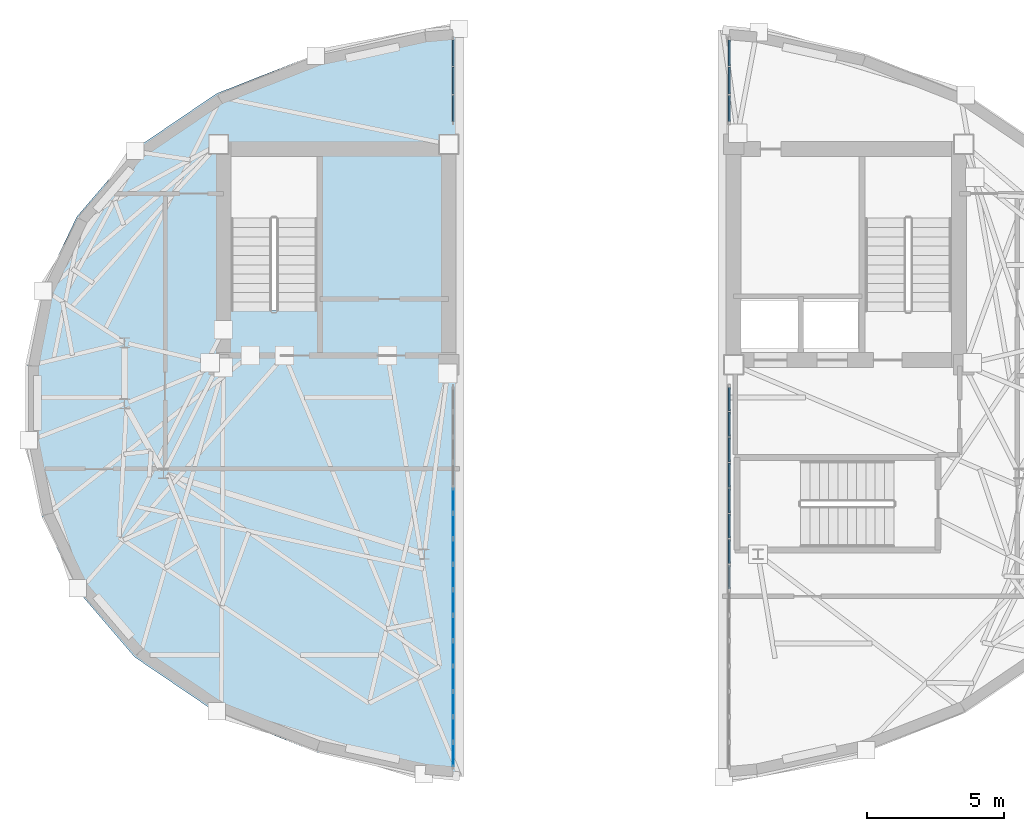
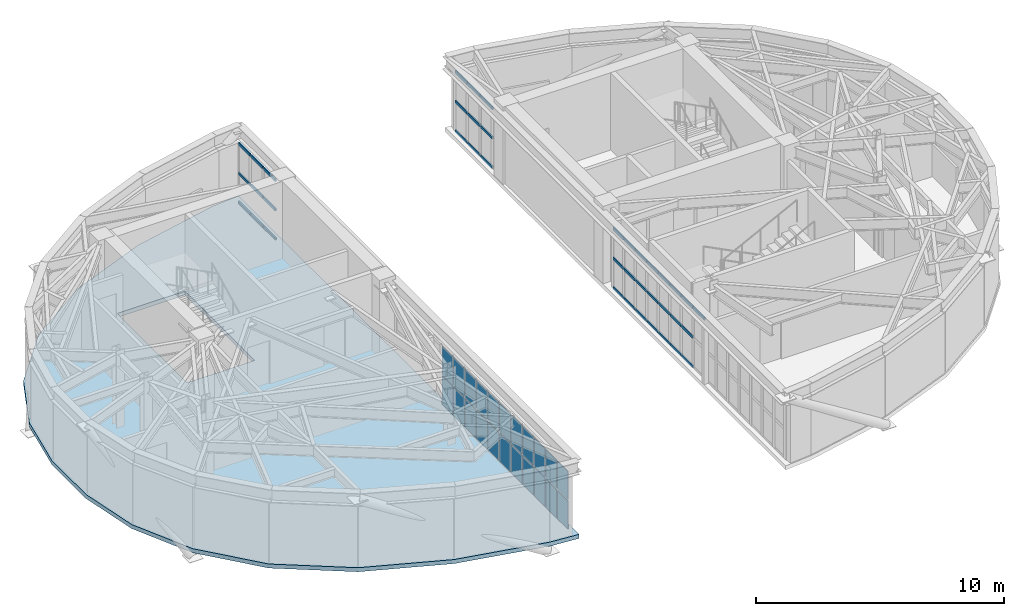
# One storey, part 7 of 13: 40 members, 22 plates, 1 slab, 4 elements without a shape of their own.
"""IFC4 building model written with IfcOpenShell, lengths in metres."""

from ifc_helpers import new_model, si_unit, direction, frame, origin, origin_2d, place, context, subcontext, project, spatial, polyline, rectangle, outline, extrude, material, layer, layer_set, material_profile, profile_set, type_object, element, aggregate, save


model = new_model("IFC4")

# Units and contexts
model_context = context("Model", 3, precision=1e-05, world=origin(), true_north=direction((0.0, 1.0)))
body_context = subcontext(model_context, "Body", "Model", "MODEL_VIEW")
ifc_project = project(units=[si_unit("LENGTHUNIT", "METRE"), si_unit("AREAUNIT", "SQUARE_METRE"), si_unit("VOLUMEUNIT", "CUBIC_METRE"), si_unit("PLANEANGLEUNIT", "RADIAN"), si_unit("MASSUNIT", "GRAM", prefix="KILO")], contexts=[model_context])

# Site, building, storey
site_placement = place(None, origin())
site = spatial("IfcSite", under=ifc_project, at=site_placement, CompositionType="ELEMENT")
building_placement = place(site_placement, origin())
building = spatial("IfcBuilding", under=site, at=building_placement, Name="Keldmark Tower", CompositionType="ELEMENT")
storey_placement = place(building_placement, frame((0.0, 0.0, 273.0)))
storey = spatial("IfcBuildingStorey", under=building, at=storey_placement, Name="L77", CompositionType="ELEMENT", Elevation=273.0)

# Curtain wall, members
ifc_material_1 = material(Name="Unitized Thermally Broken Aluminum and Triple Low-E Glazing", Category="aluminium")
ifc_layer_1 = layer(ifc_material_1, 0.219970703125)
ifc_layer_set_1 = layer_set([ifc_layer_1], Name="Unitized Thermally Broken Aluminum and Triple Low-E Glazing")
curtain_wall_type = type_object("IfcCurtainWallType", Name="Split-Top Crown Lantern Curtain Wall System", PredefinedType="NOTDEFINED", material=ifc_layer_set_1)
curtain_wall_1_placement = place(storey_placement, origin())
curtain_wall_1 = element("IfcCurtainWall", 1, at=curtain_wall_1_placement, inside=storey, type_object=curtain_wall_type, Name="L77 Split-Top Crown Lantern Curtain Wall System CW-L77-ES14-0", PredefinedType="NOTDEFINED")
ifc_material_2 = material(Name="Extruded Aluminum Alloy 6063-T6", Category="aluminium")
ifc_material_profile = material_profile(ifc_material_2, rectangle(XDim=0.06005859375, YDim=0.139892578125, at=origin_2d()), Name="CWT60X140")
ifc_profile_set = profile_set([ifc_material_profile], Name="Extruded Aluminum Alloy 6063-T6")
member_type = type_object("IfcMemberType", Name="Curtain Wall Horizontal Transom 60x140", PredefinedType="USERDEFINED", material=ifc_profile_set)
member_1_placement = place(storey_placement, frame((5.0400390625, 13.251953125, 0.030029296875), z_axis=(0.0, -1.0, 0.0), x_axis=(1.0, 0.0, 0.0)))
member_1 = element("IfcMember", 2, at=member_1_placement, type_object=member_type, Name="CW transom 1.1", ObjectType="TRANSOM", PredefinedType="USERDEFINED", context=body_context, shape_type="SweptSolid", body=[
    extrude(rectangle(XDim=0.06005859375, YDim=0.139892578125, at=origin_2d()), origin(), (0.0, 0.0, 1.0), 0.937744140625),
])
member_2_placement = place(storey_placement, frame((5.0400390625, 13.251953125, 1.48291015625), z_axis=(0.0, -1.0, 0.0), x_axis=(1.0, 0.0, 0.0)))
member_2 = element("IfcMember", 3, at=member_2_placement, type_object=member_type, Name="CW transom 1.2", ObjectType="TRANSOM", PredefinedType="USERDEFINED", context=body_context, shape_type="SweptSolid", body=[
    extrude(rectangle(XDim=0.06005859375, YDim=0.139892578125, at=origin_2d()), origin(), (0.0, 0.0, 1.0), 0.937744140625),
])
member_3_placement = place(storey_placement, frame((5.0400390625, 13.251953125, 2.93603515625), z_axis=(0.0, -1.0, 0.0), x_axis=(1.0, 0.0, 0.0)))
member_3 = element("IfcMember", 4, at=member_3_placement, type_object=member_type, Name="CW transom 1.3", ObjectType="TRANSOM", PredefinedType="USERDEFINED", context=body_context, shape_type="SweptSolid", body=[
    extrude(rectangle(XDim=0.06005859375, YDim=0.139892578125, at=origin_2d()), origin(), (0.0, 0.0, 1.0), 0.937744140625),
])
member_4_placement = place(storey_placement, frame((5.0400390625, 12.254150390625, 0.030029296875), z_axis=(0.0, -1.0, 0.0), x_axis=(1.0, 0.0, 0.0)))
member_4 = element("IfcMember", 5, at=member_4_placement, type_object=member_type, Name="CW transom 2.1", ObjectType="TRANSOM", PredefinedType="USERDEFINED", context=body_context, shape_type="SweptSolid", body=[
    extrude(rectangle(XDim=0.06005859375, YDim=0.139892578125, at=origin_2d()), origin(), (0.0, 0.0, 1.0), 0.9677734375),
])
member_5_placement = place(storey_placement, frame((5.0400390625, 12.254150390625, 1.48291015625), z_axis=(0.0, -1.0, 0.0), x_axis=(1.0, 0.0, 0.0)))
member_5 = element("IfcMember", 6, at=member_5_placement, type_object=member_type, Name="CW transom 2.2", ObjectType="TRANSOM", PredefinedType="USERDEFINED", context=body_context, shape_type="SweptSolid", body=[
    extrude(rectangle(XDim=0.06005859375, YDim=0.139892578125, at=origin_2d()), origin(), (0.0, 0.0, 1.0), 0.9677734375),
])
member_6_placement = place(storey_placement, frame((5.0400390625, 12.254150390625, 2.93603515625), z_axis=(0.0, -1.0, 0.0), x_axis=(1.0, 0.0, 0.0)))
member_6 = element("IfcMember", 7, at=member_6_placement, type_object=member_type, Name="CW transom 2.3", ObjectType="TRANSOM", PredefinedType="USERDEFINED", context=body_context, shape_type="SweptSolid", body=[
    extrude(rectangle(XDim=0.06005859375, YDim=0.139892578125, at=origin_2d()), origin(), (0.0, 0.0, 1.0), 0.9677734375),
])
member_7_placement = place(storey_placement, frame((5.0400390625, 11.226318359375, 0.030029296875), z_axis=(0.0, -1.0, 0.0), x_axis=(1.0, 0.0, 0.0)))
member_7 = element("IfcMember", 8, at=member_7_placement, type_object=member_type, Name="CW transom 3.1", ObjectType="TRANSOM", PredefinedType="USERDEFINED", context=body_context, shape_type="SweptSolid", body=[
    extrude(rectangle(XDim=0.06005859375, YDim=0.139892578125, at=origin_2d()), origin(), (0.0, 0.0, 1.0), 0.937744140625),
])
member_8_placement = place(storey_placement, frame((5.0400390625, 11.226318359375, 1.48291015625), z_axis=(0.0, -1.0, 0.0), x_axis=(1.0, 0.0, 0.0)))
member_8 = element("IfcMember", 9, at=member_8_placement, type_object=member_type, Name="CW transom 3.2", ObjectType="TRANSOM", PredefinedType="USERDEFINED", context=body_context, shape_type="SweptSolid", body=[
    extrude(rectangle(XDim=0.06005859375, YDim=0.139892578125, at=origin_2d()), origin(), (0.0, 0.0, 1.0), 0.937744140625),
])
member_9_placement = place(storey_placement, frame((5.0400390625, 11.226318359375, 2.93603515625), z_axis=(0.0, -1.0, 0.0), x_axis=(1.0, 0.0, 0.0)))
member_9 = element("IfcMember", 10, at=member_9_placement, type_object=member_type, Name="CW transom 3.3", ObjectType="TRANSOM", PredefinedType="USERDEFINED", context=body_context, shape_type="SweptSolid", body=[
    extrude(rectangle(XDim=0.06005859375, YDim=0.139892578125, at=origin_2d()), origin(), (0.0, 0.0, 1.0), 0.937744140625),
])
aggregate(curtain_wall_1, [member_1, member_2, member_3, member_4, member_5, member_6, member_7, member_8, member_9])

curtain_wall_2_placement = place(storey_placement, origin())
curtain_wall_2 = element("IfcCurtainWall", 11, at=curtain_wall_2_placement, inside=storey, type_object=curtain_wall_type, Name="L77 Split-Top Crown Lantern Curtain Wall System CW-L77-ES14-1", PredefinedType="NOTDEFINED")
member_10_placement = place(storey_placement, frame((5.0400390625, 0.5615234375, 0.030029296875), z_axis=(0.0, -1.0, 0.0), x_axis=(1.0, 0.0, 0.0)))
member_10 = element("IfcMember", 12, at=member_10_placement, type_object=member_type, Name="CW transom 1.1", ObjectType="TRANSOM", PredefinedType="USERDEFINED", context=body_context, shape_type="SweptSolid", body=[
    extrude(rectangle(XDim=0.06005859375, YDim=0.139892578125, at=origin_2d()), origin(), (0.0, 0.0, 1.0), 0.8388671875),
])
member_11_placement = place(storey_placement, frame((5.0400390625, 0.5615234375, 1.48291015625), z_axis=(0.0, -1.0, 0.0), x_axis=(1.0, 0.0, 0.0)))
member_11 = element("IfcMember", 13, at=member_11_placement, type_object=member_type, Name="CW transom 1.2", ObjectType="TRANSOM", PredefinedType="USERDEFINED", context=body_context, shape_type="SweptSolid", body=[
    extrude(rectangle(XDim=0.06005859375, YDim=0.139892578125, at=origin_2d()), origin(), (0.0, 0.0, 1.0), 0.8388671875),
])
member_12_placement = place(storey_placement, frame((5.0400390625, 0.5615234375, 2.93603515625), z_axis=(0.0, -1.0, 0.0), x_axis=(1.0, 0.0, 0.0)))
member_12 = element("IfcMember", 14, at=member_12_placement, type_object=member_type, Name="CW transom 1.3", ObjectType="TRANSOM", PredefinedType="USERDEFINED", context=body_context, shape_type="SweptSolid", body=[
    extrude(rectangle(XDim=0.06005859375, YDim=0.139892578125, at=origin_2d()), origin(), (0.0, 0.0, 1.0), 0.8388671875),
])
member_13_placement = place(storey_placement, frame((5.0400390625, -0.33740234375, 0.030029296875), z_axis=(0.0, -1.0, 0.0), x_axis=(1.0, 0.0, 0.0)))
member_13 = element("IfcMember", 15, at=member_13_placement, type_object=member_type, Name="CW transom 2.1", ObjectType="TRANSOM", PredefinedType="USERDEFINED", context=body_context, shape_type="SweptSolid", body=[
    extrude(rectangle(XDim=0.06005859375, YDim=0.139892578125, at=origin_2d()), origin(), (0.0, 0.0, 1.0), 0.868896484375),
])
member_14_placement = place(storey_placement, frame((5.0400390625, -0.33740234375, 1.48291015625), z_axis=(0.0, -1.0, 0.0), x_axis=(1.0, 0.0, 0.0)))
member_14 = element("IfcMember", 16, at=member_14_placement, type_object=member_type, Name="CW transom 2.2", ObjectType="TRANSOM", PredefinedType="USERDEFINED", context=body_context, shape_type="SweptSolid", body=[
    extrude(rectangle(XDim=0.06005859375, YDim=0.139892578125, at=origin_2d()), origin(), (0.0, 0.0, 1.0), 0.868896484375),
])
member_15_placement = place(storey_placement, frame((5.0400390625, -0.33740234375, 2.93603515625), z_axis=(0.0, -1.0, 0.0), x_axis=(1.0, 0.0, 0.0)))
member_15 = element("IfcMember", 17, at=member_15_placement, type_object=member_type, Name="CW transom 2.3", ObjectType="TRANSOM", PredefinedType="USERDEFINED", context=body_context, shape_type="SweptSolid", body=[
    extrude(rectangle(XDim=0.06005859375, YDim=0.139892578125, at=origin_2d()), origin(), (0.0, 0.0, 1.0), 0.868896484375),
])
member_16_placement = place(storey_placement, frame((5.0400390625, -1.266357421875, 0.030029296875), z_axis=(0.0, -1.0, 0.0), x_axis=(1.0, 0.0, 0.0)))
member_16 = element("IfcMember", 18, at=member_16_placement, type_object=member_type, Name="CW transom 3.1", ObjectType="TRANSOM", PredefinedType="USERDEFINED", context=body_context, shape_type="SweptSolid", body=[
    extrude(rectangle(XDim=0.06005859375, YDim=0.139892578125, at=origin_2d()), origin(), (0.0, 0.0, 1.0), 0.868896484375),
])
member_17_placement = place(storey_placement, frame((5.0400390625, -1.266357421875, 1.48291015625), z_axis=(0.0, -1.0, 0.0), x_axis=(1.0, 0.0, 0.0)))
member_17 = element("IfcMember", 19, at=member_17_placement, type_object=member_type, Name="CW transom 3.2", ObjectType="TRANSOM", PredefinedType="USERDEFINED", context=body_context, shape_type="SweptSolid", body=[
    extrude(rectangle(XDim=0.06005859375, YDim=0.139892578125, at=origin_2d()), origin(), (0.0, 0.0, 1.0), 0.868896484375),
])
member_18_placement = place(storey_placement, frame((5.0400390625, -1.266357421875, 2.93603515625), z_axis=(0.0, -1.0, 0.0), x_axis=(1.0, 0.0, 0.0)))
member_18 = element("IfcMember", 20, at=member_18_placement, type_object=member_type, Name="CW transom 3.3", ObjectType="TRANSOM", PredefinedType="USERDEFINED", context=body_context, shape_type="SweptSolid", body=[
    extrude(rectangle(XDim=0.06005859375, YDim=0.139892578125, at=origin_2d()), origin(), (0.0, 0.0, 1.0), 0.868896484375),
])
member_19_placement = place(storey_placement, frame((5.0400390625, -2.1953125, 0.030029296875), z_axis=(0.0, -1.0, 0.0), x_axis=(1.0, 0.0, 0.0)))
member_19 = element("IfcMember", 21, at=member_19_placement, type_object=member_type, Name="CW transom 4.1", ObjectType="TRANSOM", PredefinedType="USERDEFINED", context=body_context, shape_type="SweptSolid", body=[
    extrude(rectangle(XDim=0.06005859375, YDim=0.139892578125, at=origin_2d()), origin(), (0.0, 0.0, 1.0), 0.868896484375),
])
member_20_placement = place(storey_placement, frame((5.0400390625, -2.1953125, 1.48291015625), z_axis=(0.0, -1.0, 0.0), x_axis=(1.0, 0.0, 0.0)))
member_20 = element("IfcMember", 22, at=member_20_placement, type_object=member_type, Name="CW transom 4.2", ObjectType="TRANSOM", PredefinedType="USERDEFINED", context=body_context, shape_type="SweptSolid", body=[
    extrude(rectangle(XDim=0.06005859375, YDim=0.139892578125, at=origin_2d()), origin(), (0.0, 0.0, 1.0), 0.868896484375),
])
member_21_placement = place(storey_placement, frame((5.0400390625, -2.1953125, 2.93603515625), z_axis=(0.0, -1.0, 0.0), x_axis=(1.0, 0.0, 0.0)))
member_21 = element("IfcMember", 23, at=member_21_placement, type_object=member_type, Name="CW transom 4.3", ObjectType="TRANSOM", PredefinedType="USERDEFINED", context=body_context, shape_type="SweptSolid", body=[
    extrude(rectangle(XDim=0.06005859375, YDim=0.139892578125, at=origin_2d()), origin(), (0.0, 0.0, 1.0), 0.868896484375),
])
member_22_placement = place(storey_placement, frame((5.0400390625, -3.1240234375, 0.030029296875), z_axis=(0.0, -1.0, 0.0), x_axis=(1.0, 0.0, 0.0)))
member_22 = element("IfcMember", 24, at=member_22_placement, type_object=member_type, Name="CW transom 5.1", ObjectType="TRANSOM", PredefinedType="USERDEFINED", context=body_context, shape_type="SweptSolid", body=[
    extrude(rectangle(XDim=0.06005859375, YDim=0.139892578125, at=origin_2d()), origin(), (0.0, 0.0, 1.0), 0.868896484375),
])
member_23_placement = place(storey_placement, frame((5.0400390625, -3.1240234375, 1.48291015625), z_axis=(0.0, -1.0, 0.0), x_axis=(1.0, 0.0, 0.0)))
member_23 = element("IfcMember", 25, at=member_23_placement, type_object=member_type, Name="CW transom 5.2", ObjectType="TRANSOM", PredefinedType="USERDEFINED", context=body_context, shape_type="SweptSolid", body=[
    extrude(rectangle(XDim=0.06005859375, YDim=0.139892578125, at=origin_2d()), origin(), (0.0, 0.0, 1.0), 0.868896484375),
])
member_24_placement = place(storey_placement, frame((5.0400390625, -3.1240234375, 2.93603515625), z_axis=(0.0, -1.0, 0.0), x_axis=(1.0, 0.0, 0.0)))
member_24 = element("IfcMember", 26, at=member_24_placement, type_object=member_type, Name="CW transom 5.3", ObjectType="TRANSOM", PredefinedType="USERDEFINED", context=body_context, shape_type="SweptSolid", body=[
    extrude(rectangle(XDim=0.06005859375, YDim=0.139892578125, at=origin_2d()), origin(), (0.0, 0.0, 1.0), 0.868896484375),
])
member_25_placement = place(storey_placement, frame((5.0400390625, -4.052978515625, 0.030029296875), z_axis=(0.0, -1.0, 0.0), x_axis=(1.0, 0.0, 0.0)))
member_25 = element("IfcMember", 27, at=member_25_placement, type_object=member_type, Name="CW transom 6.1", ObjectType="TRANSOM", PredefinedType="USERDEFINED", context=body_context, shape_type="SweptSolid", body=[
    extrude(rectangle(XDim=0.06005859375, YDim=0.139892578125, at=origin_2d()), origin(), (0.0, 0.0, 1.0), 0.868896484375),
])
member_26_placement = place(storey_placement, frame((5.0400390625, -4.052978515625, 1.48291015625), z_axis=(0.0, -1.0, 0.0), x_axis=(1.0, 0.0, 0.0)))
member_26 = element("IfcMember", 28, at=member_26_placement, type_object=member_type, Name="CW transom 6.2", ObjectType="TRANSOM", PredefinedType="USERDEFINED", context=body_context, shape_type="SweptSolid", body=[
    extrude(rectangle(XDim=0.06005859375, YDim=0.139892578125, at=origin_2d()), origin(), (0.0, 0.0, 1.0), 0.868896484375),
])
member_27_placement = place(storey_placement, frame((5.0400390625, -4.052978515625, 2.93603515625), z_axis=(0.0, -1.0, 0.0), x_axis=(1.0, 0.0, 0.0)))
member_27 = element("IfcMember", 29, at=member_27_placement, type_object=member_type, Name="CW transom 6.3", ObjectType="TRANSOM", PredefinedType="USERDEFINED", context=body_context, shape_type="SweptSolid", body=[
    extrude(rectangle(XDim=0.06005859375, YDim=0.139892578125, at=origin_2d()), origin(), (0.0, 0.0, 1.0), 0.868896484375),
])
member_28_placement = place(storey_placement, frame((5.0400390625, -4.98193359375, 0.030029296875), z_axis=(0.0, -1.0, 0.0), x_axis=(1.0, 0.0, 0.0)))
member_28 = element("IfcMember", 30, at=member_28_placement, type_object=member_type, Name="CW transom 7.1", ObjectType="TRANSOM", PredefinedType="USERDEFINED", context=body_context, shape_type="SweptSolid", body=[
    extrude(rectangle(XDim=0.06005859375, YDim=0.139892578125, at=origin_2d()), origin(), (0.0, 0.0, 1.0), 0.868896484375),
])
member_29_placement = place(storey_placement, frame((5.0400390625, -4.98193359375, 1.48291015625), z_axis=(0.0, -1.0, 0.0), x_axis=(1.0, 0.0, 0.0)))
member_29 = element("IfcMember", 31, at=member_29_placement, type_object=member_type, Name="CW transom 7.2", ObjectType="TRANSOM", PredefinedType="USERDEFINED", context=body_context, shape_type="SweptSolid", body=[
    extrude(rectangle(XDim=0.06005859375, YDim=0.139892578125, at=origin_2d()), origin(), (0.0, 0.0, 1.0), 0.868896484375),
])
member_30_placement = place(storey_placement, frame((5.0400390625, -4.98193359375, 2.93603515625), z_axis=(0.0, -1.0, 0.0), x_axis=(1.0, 0.0, 0.0)))
member_30 = element("IfcMember", 32, at=member_30_placement, type_object=member_type, Name="CW transom 7.3", ObjectType="TRANSOM", PredefinedType="USERDEFINED", context=body_context, shape_type="SweptSolid", body=[
    extrude(rectangle(XDim=0.06005859375, YDim=0.139892578125, at=origin_2d()), origin(), (0.0, 0.0, 1.0), 0.868896484375),
])
member_31_placement = place(storey_placement, frame((5.0400390625, -5.910888671875, 2.93603515625), z_axis=(0.0, -1.0, 0.0), x_axis=(1.0, 0.0, 0.0)))
member_31 = element("IfcMember", 33, at=member_31_placement, type_object=member_type, Name="CW transom 8.3", ObjectType="TRANSOM", PredefinedType="USERDEFINED", context=body_context, shape_type="SweptSolid", body=[
    extrude(rectangle(XDim=0.06005859375, YDim=0.139892578125, at=origin_2d()), origin(), (0.0, 0.0, 1.0), 0.868896484375),
])
aggregate(curtain_wall_2, [member_10, member_11, member_12, member_13, member_14, member_15, member_16, member_17, member_18, member_19, member_20, member_21, member_22, member_23, member_24, member_25, member_26, member_27, member_28, member_29, member_30, member_31])

curtain_wall_3_placement = place(storey_placement, origin())
curtain_wall_3 = element("IfcCurtainWall", 34, at=curtain_wall_3_placement, inside=storey, type_object=curtain_wall_type, Name="L77 Split-Top Crown Lantern Curtain Wall System CW-L77-WS14-1", PredefinedType="NOTDEFINED")
member_32_placement = place(storey_placement, frame((-5.0400390625, 10.28857421875, 0.030029296875), z_axis=(0.0, 1.0, 0.0), x_axis=(-1.0, 0.0, 0.0)))
member_32 = element("IfcMember", 35, at=member_32_placement, type_object=member_type, Name="CW transom 1.1", ObjectType="TRANSOM", PredefinedType="USERDEFINED", context=body_context, shape_type="SweptSolid", body=[
    extrude(rectangle(XDim=0.06005859375, YDim=0.139892578125, at=origin_2d()), origin(), (0.0, 0.0, 1.0), 0.937744140625),
])
member_33_placement = place(storey_placement, frame((-5.0400390625, 10.28857421875, 1.48291015625), z_axis=(0.0, 1.0, 0.0), x_axis=(-1.0, 0.0, 0.0)))
member_33 = element("IfcMember", 36, at=member_33_placement, type_object=member_type, Name="CW transom 1.2", ObjectType="TRANSOM", PredefinedType="USERDEFINED", context=body_context, shape_type="SweptSolid", body=[
    extrude(rectangle(XDim=0.06005859375, YDim=0.139892578125, at=origin_2d()), origin(), (0.0, 0.0, 1.0), 0.937744140625),
])
member_34_placement = place(storey_placement, frame((-5.0400390625, 10.28857421875, 2.93603515625), z_axis=(0.0, 1.0, 0.0), x_axis=(-1.0, 0.0, 0.0)))
member_34 = element("IfcMember", 37, at=member_34_placement, type_object=member_type, Name="CW transom 1.3", ObjectType="TRANSOM", PredefinedType="USERDEFINED", context=body_context, shape_type="SweptSolid", body=[
    extrude(rectangle(XDim=0.06005859375, YDim=0.139892578125, at=origin_2d()), origin(), (0.0, 0.0, 1.0), 0.937744140625),
])
member_35_placement = place(storey_placement, frame((-5.0400390625, 11.286376953125, 0.030029296875), z_axis=(0.0, 1.0, 0.0), x_axis=(-1.0, 0.0, 0.0)))
member_35 = element("IfcMember", 38, at=member_35_placement, type_object=member_type, Name="CW transom 2.1", ObjectType="TRANSOM", PredefinedType="USERDEFINED", context=body_context, shape_type="SweptSolid", body=[
    extrude(rectangle(XDim=0.06005859375, YDim=0.139892578125, at=origin_2d()), origin(), (0.0, 0.0, 1.0), 0.9677734375),
])
member_36_placement = place(storey_placement, frame((-5.0400390625, 11.286376953125, 1.48291015625), z_axis=(0.0, 1.0, 0.0), x_axis=(-1.0, 0.0, 0.0)))
member_36 = element("IfcMember", 39, at=member_36_placement, type_object=member_type, Name="CW transom 2.2", ObjectType="TRANSOM", PredefinedType="USERDEFINED", context=body_context, shape_type="SweptSolid", body=[
    extrude(rectangle(XDim=0.06005859375, YDim=0.139892578125, at=origin_2d()), origin(), (0.0, 0.0, 1.0), 0.9677734375),
])
member_37_placement = place(storey_placement, frame((-5.0400390625, 11.286376953125, 2.93603515625), z_axis=(0.0, 1.0, 0.0), x_axis=(-1.0, 0.0, 0.0)))
member_37 = element("IfcMember", 40, at=member_37_placement, type_object=member_type, Name="CW transom 2.3", ObjectType="TRANSOM", PredefinedType="USERDEFINED", context=body_context, shape_type="SweptSolid", body=[
    extrude(rectangle(XDim=0.06005859375, YDim=0.139892578125, at=origin_2d()), origin(), (0.0, 0.0, 1.0), 0.9677734375),
])
member_38_placement = place(storey_placement, frame((-5.0400390625, 12.314208984375, 0.030029296875), z_axis=(0.0, 1.0, 0.0), x_axis=(-1.0, 0.0, 0.0)))
member_38 = element("IfcMember", 41, at=member_38_placement, type_object=member_type, Name="CW transom 3.1", ObjectType="TRANSOM", PredefinedType="USERDEFINED", context=body_context, shape_type="SweptSolid", body=[
    extrude(rectangle(XDim=0.06005859375, YDim=0.139892578125, at=origin_2d()), origin(), (0.0, 0.0, 1.0), 0.937744140625),
])
member_39_placement = place(storey_placement, frame((-5.0400390625, 12.314208984375, 1.48291015625), z_axis=(0.0, 1.0, 0.0), x_axis=(-1.0, 0.0, 0.0)))
member_39 = element("IfcMember", 42, at=member_39_placement, type_object=member_type, Name="CW transom 3.2", ObjectType="TRANSOM", PredefinedType="USERDEFINED", context=body_context, shape_type="SweptSolid", body=[
    extrude(rectangle(XDim=0.06005859375, YDim=0.139892578125, at=origin_2d()), origin(), (0.0, 0.0, 1.0), 0.937744140625),
])
member_40_placement = place(storey_placement, frame((-5.0400390625, 12.314208984375, 2.93603515625), z_axis=(0.0, 1.0, 0.0), x_axis=(-1.0, 0.0, 0.0)))
member_40 = element("IfcMember", 43, at=member_40_placement, type_object=member_type, Name="CW transom 3.3", ObjectType="TRANSOM", PredefinedType="USERDEFINED", context=body_context, shape_type="SweptSolid", body=[
    extrude(rectangle(XDim=0.06005859375, YDim=0.139892578125, at=origin_2d()), origin(), (0.0, 0.0, 1.0), 0.937744140625),
])
aggregate(curtain_wall_3, [member_32, member_33, member_34, member_35, member_36, member_37, member_38, member_39, member_40])

# Slab
ifc_material_3 = material(Name="Concrete C35/45", Category="concrete")
ifc_layer_2 = layer(ifc_material_3, 0.199951171875)
ifc_layer_set_2 = layer_set([ifc_layer_2], Name="Concrete C35/45")
slab_type = type_object("IfcSlabType", Name="Low-Rise Office Composite Slab 200 mm", PredefinedType="FLOOR", material=ifc_layer_set_2)
slab_placement = place(storey_placement, frame((0.0, 0.0, -0.199951171875)))
element("IfcSlab", 44, at=slab_placement, inside=storey, type_object=slab_type, Name="L77 West Crown Plant Floor Slab", PredefinedType="FLOOR", context=body_context, shape_type="SweptSolid", body=[
    extrude(outline(polyline([(-6.0810546875, -13.59912109375), (-10.03369140625, -12.734130859375), (-13.669921875, -11.2998046875), (-16.656982421875, -9.2734375), (-18.771484375, -6.806396484375), (-20.04638671875, -4.125244140625), (-20.585693359375, -1.37548828125), (-20.585693359375, 1.37548828125), (-20.04638671875, 4.125244140625), (-18.771484375, 6.806396484375), (-16.656982421875, 9.2734375), (-13.669921875, 11.2998046875), (-10.03369140625, 12.734130859375), (-6.0810546875, 13.59912109375), (-4.800048828125, 13.714599609375), (-4.800048828125, -13.714599609375), (-6.0810546875, -13.59912109375)]), holes=[polyline([(-10.0, 3.385009765625), (-10.0, 9.0), (-13.14990234375, 9.0), (-13.14990234375, 3.385009765625), (-10.0, 3.385009765625)])]), origin(), (0.0, 0.0, 1.0), 0.199951171875),
])

# Curtain wall, plates
curtain_wall_4_placement = place(storey_placement, origin())
curtain_wall_4 = element("IfcCurtainWall", 45, at=curtain_wall_4_placement, inside=storey, type_object=curtain_wall_type, Name="L77 Split-Top Crown Lantern Curtain Wall System CW-L77-WS14-0", PredefinedType="NOTDEFINED")
ifc_material_4 = material(Name="Triple Silver Low-E Insulated Glass Unit", Category="glass")
ifc_layer_3 = layer(ifc_material_4, 0.035888671875)
ifc_layer_set_3 = layer_set([ifc_layer_3], Name="Triple Silver Low-E Insulated Glass Unit")
plate_type = type_object("IfcPlateType", Name="Triple Low-E Vision Glazing Panel 36 mm", PredefinedType="CURTAIN_PANEL", material=ifc_layer_set_3)
plate_1_placement = place(storey_placement, frame((-5.0400390625, -12.83251953125, 0.06005859375), z_axis=(0.0, 0.0, 1.0), x_axis=(0.0, 1.0, 0.0)))
plate_1 = element("IfcPlate", 46, at=plate_1_placement, type_object=plate_type, Name="CW panel 1.1", PredefinedType="CURTAIN_PANEL", context=body_context, shape_type="SweptSolid", body=[
    extrude(rectangle(XDim=0.8388671875, YDim=0.035888671875, at=origin_2d()), origin(), (0.0, 0.0, 1.0), 1.39306640625),
])
plate_2_placement = place(storey_placement, frame((-5.0400390625, -12.83251953125, 1.512939453125), z_axis=(0.0, 0.0, 1.0), x_axis=(0.0, 1.0, 0.0)))
plate_2 = element("IfcPlate", 47, at=plate_2_placement, type_object=plate_type, Name="CW panel 1.2", PredefinedType="CURTAIN_PANEL", context=body_context, shape_type="SweptSolid", body=[
    extrude(rectangle(XDim=0.8388671875, YDim=0.035888671875, at=origin_2d()), origin(), (0.0, 0.0, 1.0), 1.39306640625),
])
plate_3_placement = place(storey_placement, frame((-5.0400390625, -11.918701171875, 0.06005859375), z_axis=(0.0, 0.0, 1.0), x_axis=(0.0, 1.0, 0.0)))
plate_3 = element("IfcPlate", 48, at=plate_3_placement, type_object=plate_type, Name="CW panel 2.1", PredefinedType="CURTAIN_PANEL", context=body_context, shape_type="SweptSolid", body=[
    extrude(rectangle(XDim=0.868896484375, YDim=0.035888671875, at=origin_2d()), origin(), (0.0, 0.0, 1.0), 1.39306640625),
])
plate_4_placement = place(storey_placement, frame((-5.0400390625, -11.918701171875, 1.512939453125), z_axis=(0.0, 0.0, 1.0), x_axis=(0.0, 1.0, 0.0)))
plate_4 = element("IfcPlate", 49, at=plate_4_placement, type_object=plate_type, Name="CW panel 2.2", PredefinedType="CURTAIN_PANEL", context=body_context, shape_type="SweptSolid", body=[
    extrude(rectangle(XDim=0.868896484375, YDim=0.035888671875, at=origin_2d()), origin(), (0.0, 0.0, 1.0), 1.39306640625),
])
plate_5_placement = place(storey_placement, frame((-5.0400390625, -10.98974609375, 0.06005859375), z_axis=(0.0, 0.0, 1.0), x_axis=(0.0, 1.0, 0.0)))
plate_5 = element("IfcPlate", 50, at=plate_5_placement, type_object=plate_type, Name="CW panel 3.1", PredefinedType="CURTAIN_PANEL", context=body_context, shape_type="SweptSolid", body=[
    extrude(rectangle(XDim=0.868896484375, YDim=0.035888671875, at=origin_2d()), origin(), (0.0, 0.0, 1.0), 1.39306640625),
])
plate_6_placement = place(storey_placement, frame((-5.0400390625, -10.98974609375, 1.512939453125), z_axis=(0.0, 0.0, 1.0), x_axis=(0.0, 1.0, 0.0)))
plate_6 = element("IfcPlate", 51, at=plate_6_placement, type_object=plate_type, Name="CW panel 3.2", PredefinedType="CURTAIN_PANEL", context=body_context, shape_type="SweptSolid", body=[
    extrude(rectangle(XDim=0.868896484375, YDim=0.035888671875, at=origin_2d()), origin(), (0.0, 0.0, 1.0), 1.39306640625),
])
plate_7_placement = place(storey_placement, frame((-5.0400390625, -10.060791015625, 0.06005859375), z_axis=(0.0, 0.0, 1.0), x_axis=(0.0, 1.0, 0.0)))
plate_7 = element("IfcPlate", 52, at=plate_7_placement, type_object=plate_type, Name="CW panel 4.1", PredefinedType="CURTAIN_PANEL", context=body_context, shape_type="SweptSolid", body=[
    extrude(rectangle(XDim=0.868896484375, YDim=0.035888671875, at=origin_2d()), origin(), (0.0, 0.0, 1.0), 1.39306640625),
])
plate_8_placement = place(storey_placement, frame((-5.0400390625, -10.060791015625, 1.512939453125), z_axis=(0.0, 0.0, 1.0), x_axis=(0.0, 1.0, 0.0)))
plate_8 = element("IfcPlate", 53, at=plate_8_placement, type_object=plate_type, Name="CW panel 4.2", PredefinedType="CURTAIN_PANEL", context=body_context, shape_type="SweptSolid", body=[
    extrude(rectangle(XDim=0.868896484375, YDim=0.035888671875, at=origin_2d()), origin(), (0.0, 0.0, 1.0), 1.39306640625),
])
plate_9_placement = place(storey_placement, frame((-5.0400390625, -9.1318359375, 0.06005859375), z_axis=(0.0, 0.0, 1.0), x_axis=(0.0, 1.0, 0.0)))
plate_9 = element("IfcPlate", 54, at=plate_9_placement, type_object=plate_type, Name="CW panel 5.1", PredefinedType="CURTAIN_PANEL", context=body_context, shape_type="SweptSolid", body=[
    extrude(rectangle(XDim=0.868896484375, YDim=0.035888671875, at=origin_2d()), origin(), (0.0, 0.0, 1.0), 1.39306640625),
])
plate_10_placement = place(storey_placement, frame((-5.0400390625, -9.1318359375, 1.512939453125), z_axis=(0.0, 0.0, 1.0), x_axis=(0.0, 1.0, 0.0)))
plate_10 = element("IfcPlate", 55, at=plate_10_placement, type_object=plate_type, Name="CW panel 5.2", PredefinedType="CURTAIN_PANEL", context=body_context, shape_type="SweptSolid", body=[
    extrude(rectangle(XDim=0.868896484375, YDim=0.035888671875, at=origin_2d()), origin(), (0.0, 0.0, 1.0), 1.39306640625),
])
plate_11_placement = place(storey_placement, frame((-5.0400390625, -8.203125, 0.06005859375), z_axis=(0.0, 0.0, 1.0), x_axis=(0.0, 1.0, 0.0)))
plate_11 = element("IfcPlate", 56, at=plate_11_placement, type_object=plate_type, Name="CW panel 6.1", PredefinedType="CURTAIN_PANEL", context=body_context, shape_type="SweptSolid", body=[
    extrude(rectangle(XDim=0.868896484375, YDim=0.035888671875, at=origin_2d()), origin(), (0.0, 0.0, 1.0), 1.39306640625),
])
plate_12_placement = place(storey_placement, frame((-5.0400390625, -8.203125, 1.512939453125), z_axis=(0.0, 0.0, 1.0), x_axis=(0.0, 1.0, 0.0)))
plate_12 = element("IfcPlate", 57, at=plate_12_placement, type_object=plate_type, Name="CW panel 6.2", PredefinedType="CURTAIN_PANEL", context=body_context, shape_type="SweptSolid", body=[
    extrude(rectangle(XDim=0.868896484375, YDim=0.035888671875, at=origin_2d()), origin(), (0.0, 0.0, 1.0), 1.39306640625),
])
plate_13_placement = place(storey_placement, frame((-5.0400390625, -7.274169921875, 0.06005859375), z_axis=(0.0, 0.0, 1.0), x_axis=(0.0, 1.0, 0.0)))
plate_13 = element("IfcPlate", 58, at=plate_13_placement, type_object=plate_type, Name="CW panel 7.1", PredefinedType="CURTAIN_PANEL", context=body_context, shape_type="SweptSolid", body=[
    extrude(rectangle(XDim=0.868896484375, YDim=0.035888671875, at=origin_2d()), origin(), (0.0, 0.0, 1.0), 1.39306640625),
])
plate_14_placement = place(storey_placement, frame((-5.0400390625, -7.274169921875, 1.512939453125), z_axis=(0.0, 0.0, 1.0), x_axis=(0.0, 1.0, 0.0)))
plate_14 = element("IfcPlate", 59, at=plate_14_placement, type_object=plate_type, Name="CW panel 7.2", PredefinedType="CURTAIN_PANEL", context=body_context, shape_type="SweptSolid", body=[
    extrude(rectangle(XDim=0.868896484375, YDim=0.035888671875, at=origin_2d()), origin(), (0.0, 0.0, 1.0), 1.39306640625),
])
plate_15_placement = place(storey_placement, frame((-5.0400390625, -6.34521484375, 0.06005859375), z_axis=(0.0, 0.0, 1.0), x_axis=(0.0, 1.0, 0.0)))
plate_15 = element("IfcPlate", 60, at=plate_15_placement, type_object=plate_type, Name="CW panel 8.1", PredefinedType="CURTAIN_PANEL", context=body_context, shape_type="SweptSolid", body=[
    extrude(rectangle(XDim=0.868896484375, YDim=0.035888671875, at=origin_2d()), origin(), (0.0, 0.0, 1.0), 1.39306640625),
])
plate_16_placement = place(storey_placement, frame((-5.0400390625, -6.34521484375, 1.512939453125), z_axis=(0.0, 0.0, 1.0), x_axis=(0.0, 1.0, 0.0)))
plate_16 = element("IfcPlate", 61, at=plate_16_placement, type_object=plate_type, Name="CW panel 8.2", PredefinedType="CURTAIN_PANEL", context=body_context, shape_type="SweptSolid", body=[
    extrude(rectangle(XDim=0.868896484375, YDim=0.035888671875, at=origin_2d()), origin(), (0.0, 0.0, 1.0), 1.39306640625),
])
plate_17_placement = place(storey_placement, frame((-5.0400390625, -5.416259765625, 0.06005859375), z_axis=(0.0, 0.0, 1.0), x_axis=(0.0, 1.0, 0.0)))
plate_17 = element("IfcPlate", 62, at=plate_17_placement, type_object=plate_type, Name="CW panel 9.1", PredefinedType="CURTAIN_PANEL", context=body_context, shape_type="SweptSolid", body=[
    extrude(rectangle(XDim=0.868896484375, YDim=0.035888671875, at=origin_2d()), origin(), (0.0, 0.0, 1.0), 1.39306640625),
])
plate_18_placement = place(storey_placement, frame((-5.0400390625, -5.416259765625, 1.512939453125), z_axis=(0.0, 0.0, 1.0), x_axis=(0.0, 1.0, 0.0)))
plate_18 = element("IfcPlate", 63, at=plate_18_placement, type_object=plate_type, Name="CW panel 9.2", PredefinedType="CURTAIN_PANEL", context=body_context, shape_type="SweptSolid", body=[
    extrude(rectangle(XDim=0.868896484375, YDim=0.035888671875, at=origin_2d()), origin(), (0.0, 0.0, 1.0), 1.39306640625),
])
plate_19_placement = place(storey_placement, frame((-5.0400390625, -4.487548828125, 0.06005859375), z_axis=(0.0, 0.0, 1.0), x_axis=(0.0, 1.0, 0.0)))
plate_19 = element("IfcPlate", 64, at=plate_19_placement, type_object=plate_type, Name="CW panel 10.1", PredefinedType="CURTAIN_PANEL", context=body_context, shape_type="SweptSolid", body=[
    extrude(rectangle(XDim=0.868896484375, YDim=0.035888671875, at=origin_2d()), origin(), (0.0, 0.0, 1.0), 1.39306640625),
])
plate_20_placement = place(storey_placement, frame((-5.0400390625, -4.487548828125, 1.512939453125), z_axis=(0.0, 0.0, 1.0), x_axis=(0.0, 1.0, 0.0)))
plate_20 = element("IfcPlate", 65, at=plate_20_placement, type_object=plate_type, Name="CW panel 10.2", PredefinedType="CURTAIN_PANEL", context=body_context, shape_type="SweptSolid", body=[
    extrude(rectangle(XDim=0.868896484375, YDim=0.035888671875, at=origin_2d()), origin(), (0.0, 0.0, 1.0), 1.39306640625),
])
plate_21_placement = place(storey_placement, frame((-5.0400390625, -3.55859375, 0.06005859375), z_axis=(0.0, 0.0, 1.0), x_axis=(0.0, 1.0, 0.0)))
plate_21 = element("IfcPlate", 66, at=plate_21_placement, type_object=plate_type, Name="CW panel 11.1", PredefinedType="CURTAIN_PANEL", context=body_context, shape_type="SweptSolid", body=[
    extrude(rectangle(XDim=0.868896484375, YDim=0.035888671875, at=origin_2d()), origin(), (0.0, 0.0, 1.0), 1.39306640625),
])
plate_22_placement = place(storey_placement, frame((-5.0400390625, -3.55859375, 1.512939453125), z_axis=(0.0, 0.0, 1.0), x_axis=(0.0, 1.0, 0.0)))
plate_22 = element("IfcPlate", 67, at=plate_22_placement, type_object=plate_type, Name="CW panel 11.2", PredefinedType="CURTAIN_PANEL", context=body_context, shape_type="SweptSolid", body=[
    extrude(rectangle(XDim=0.868896484375, YDim=0.035888671875, at=origin_2d()), origin(), (0.0, 0.0, 1.0), 1.39306640625),
])
aggregate(curtain_wall_4, [plate_1, plate_2, plate_3, plate_4, plate_5, plate_6, plate_7, plate_8, plate_9, plate_10, plate_11, plate_12, plate_13, plate_14, plate_15, plate_16, plate_17, plate_18, plate_19, plate_20, plate_21, plate_22])

save(model, "model.ifc")
